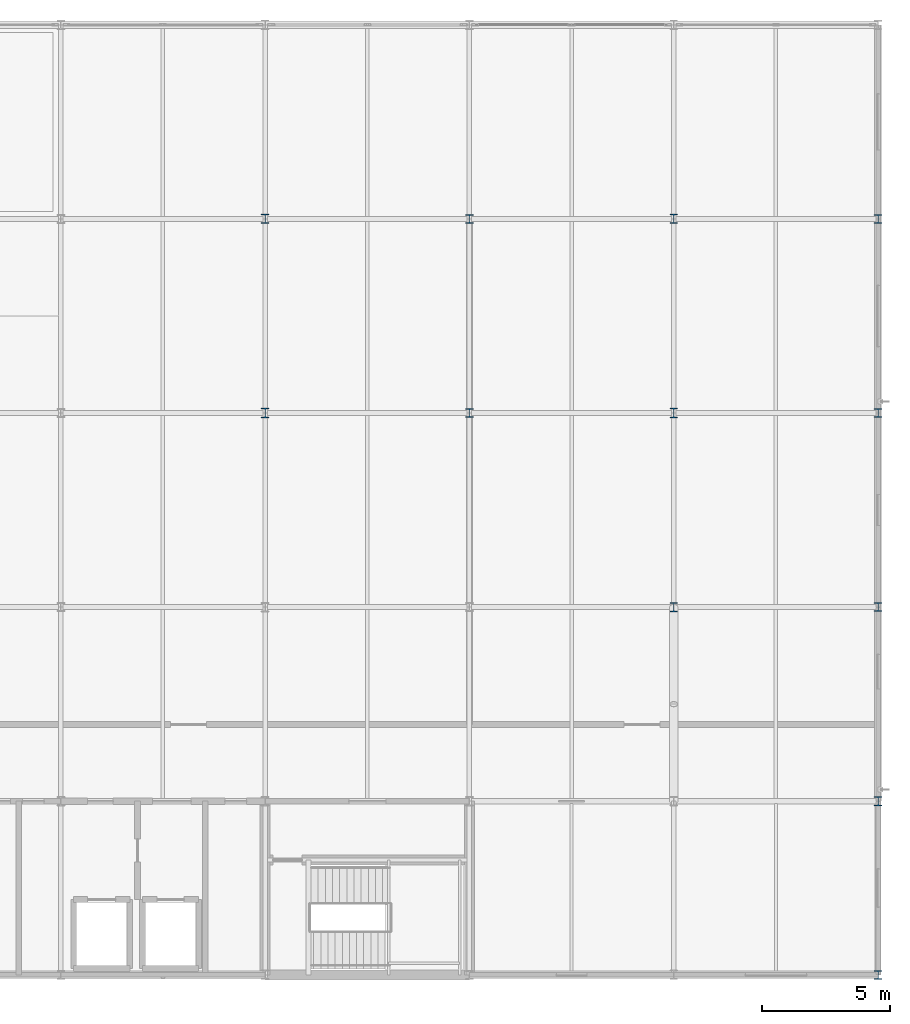
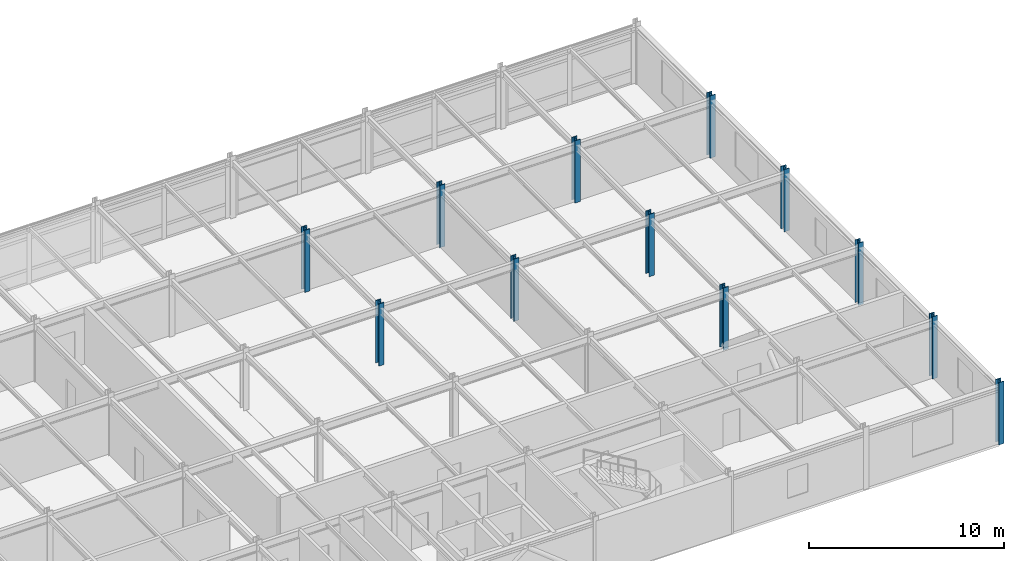
# One storey, part 2 of 15: 12 columns.
"""IFC4 building model written with IfcOpenShell, lengths in metres."""

from ifc_helpers import new_model, si_unit, direction, frame, origin, origin_2d, place, context, subcontext, project, spatial, i_section, extrude, material, material_profile, profile_set, type_object, element, save


model = new_model("IFC4")

# Units and contexts
model_context = context("Model", 3, precision=1e-05, world=origin(), true_north=direction((0.0, 1.0)))
body_context = subcontext(model_context, "Body", "Model", "MODEL_VIEW")
ifc_project = project(units=[si_unit("LENGTHUNIT", "METRE"), si_unit("AREAUNIT", "SQUARE_METRE"), si_unit("VOLUMEUNIT", "CUBIC_METRE"), si_unit("PLANEANGLEUNIT", "RADIAN"), si_unit("MASSUNIT", "GRAM", prefix="KILO")], contexts=[model_context])

# Site, building, storey
site_placement = place(None, origin())
site = spatial("IfcSite", under=ifc_project, at=site_placement, CompositionType="ELEMENT")
building_placement = place(site_placement, origin())
building = spatial("IfcBuilding", under=site, at=building_placement, Name="Shalkamar Park Central Library", CompositionType="ELEMENT")
storey_placement = place(building_placement, frame((0.0, 0.0, 47.699951171875)))
storey = spatial("IfcBuildingStorey", under=building, at=storey_placement, Name="L12", CompositionType="ELEMENT", Elevation=47.699951171875)

# Columns
ifc_material = material(Name="Steel S355", Category="steel")
ifc_material_profile_1 = material_profile(ifc_material, i_section(OverallWidth=0.30908203125, OverallDepth=0.35888671875, WebThickness=0.02099609375, FlangeThickness=0.0400390625, FilletRadius=0.027099609375, at=origin_2d()), Name="HEM 320")
ifc_profile_set_1 = profile_set([ifc_material_profile_1], Name="Steel S355")
column_type_1 = type_object("IfcColumnType", Name="Column Steel HEM320", PredefinedType="COLUMN", material=ifc_profile_set_1)
for number, where, z_axis, x_axis, name in (
    (1, (205.0, 270.39990234375, 0.0), (0.0, 0.0, 1.0), (1.0, 0.0, 0.0), "Column 12/E (L12)"),
    (2, (205.0, 278.0, 0.0), (0.0, 0.0, 1.0), (1.0, 0.0, 0.0), "Column 12/F (L12)"),
    (3, (221.0, 248.39990234375, 0.0), (0.0, 0.0, 1.0), (1.0, 0.0, 0.0), "Column 14/B (L12)"),
    (4, (221.0, 255.199951171875, 0.0), (0.0, 0.0, 1.0), (1.0, 0.0, 0.0), "Column 14/C (L12)"),
    (5, (221.0, 262.800048828125, 0.0), (0.0, 0.0, 1.0), (1.0, 0.0, 0.0), "Column 14/D (L12)"),
    (6, (221.0, 270.39990234375, 0.0), (0.0, 0.0, 1.0), (1.0, 0.0, 0.0), "Column 14/E (L12)"),
    (7, (221.0, 278.0, 0.0), (0.0, 0.0, 1.0), (1.0, 0.0, 0.0), "Column 14/F (L12)"),
):
    element("IfcColumn", number, at=place(storey_placement, frame(where, z_axis=z_axis, x_axis=x_axis)), inside=storey, type_object=column_type_1, Name=name, PredefinedType="COLUMN", context=body_context, shape_type="SweptSolid", body=[
        extrude(i_section(OverallWidth=0.30908203125, OverallDepth=0.35888671875, WebThickness=0.02099609375, FlangeThickness=0.0400390625, FilletRadius=0.027099609375, at=origin_2d()), origin(), (0.0, 0.0, 1.0), 3.900146484375),
    ])
ifc_material_profile_2 = material_profile(ifc_material, i_section(OverallWidth=0.30908203125, OverallDepth=0.376953125, WebThickness=0.02099609375, FlangeThickness=0.0400390625, FilletRadius=0.027099609375, at=origin_2d()), Name="HEM 340")
ifc_profile_set_2 = profile_set([ifc_material_profile_2], Name="Steel S355")
column_type_2 = type_object("IfcColumnType", Name="Column Steel HEM340", PredefinedType="COLUMN", material=ifc_profile_set_2)
for number, where, z_axis, x_axis, name in (
    (8, (197.0, 270.39990234375, 0.0), (0.0, 0.0, 1.0), (1.0, 0.0, 0.0), "Column 11/E (L12)"),
    (9, (197.0, 278.0, 0.0), (0.0, 0.0, 1.0), (1.0, 0.0, 0.0), "Column 11/F (L12)"),
    (10, (213.0, 262.800048828125, 0.0), (0.0, 0.0, 1.0), (1.0, 0.0, 0.0), "Column 13/D (L12)"),
    (11, (213.0, 270.39990234375, 0.0), (0.0, 0.0, 1.0), (1.0, 0.0, 0.0), "Column 13/E (L12)"),
    (12, (213.0, 278.0, 0.0), (0.0, 0.0, 1.0), (1.0, 0.0, 0.0), "Column 13/F (L12)"),
):
    element("IfcColumn", number, at=place(storey_placement, frame(where, z_axis=z_axis, x_axis=x_axis)), inside=storey, type_object=column_type_2, Name=name, PredefinedType="COLUMN", context=body_context, shape_type="SweptSolid", body=[
        extrude(i_section(OverallWidth=0.30908203125, OverallDepth=0.376953125, WebThickness=0.02099609375, FlangeThickness=0.0400390625, FilletRadius=0.027099609375, at=origin_2d()), origin(), (0.0, 0.0, 1.0), 3.900146484375),
    ])

save(model, "model.ifc")
